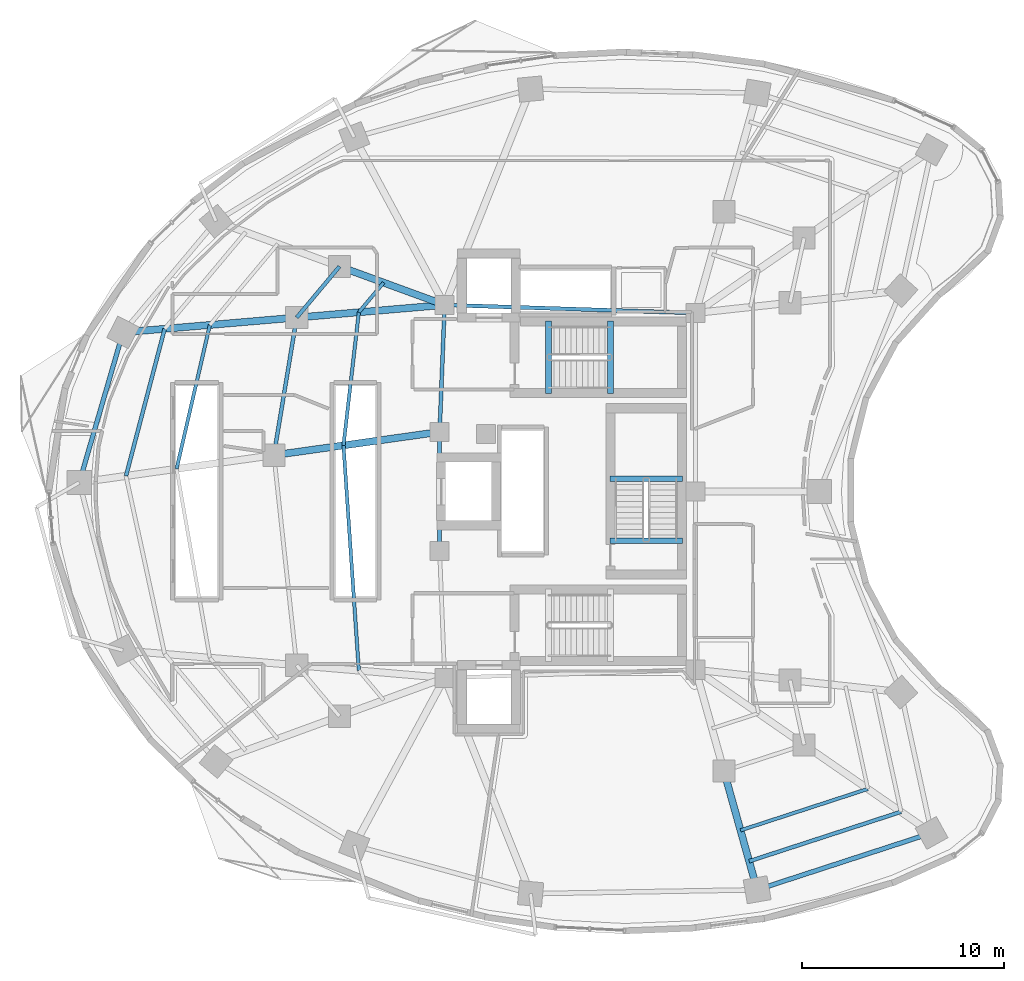
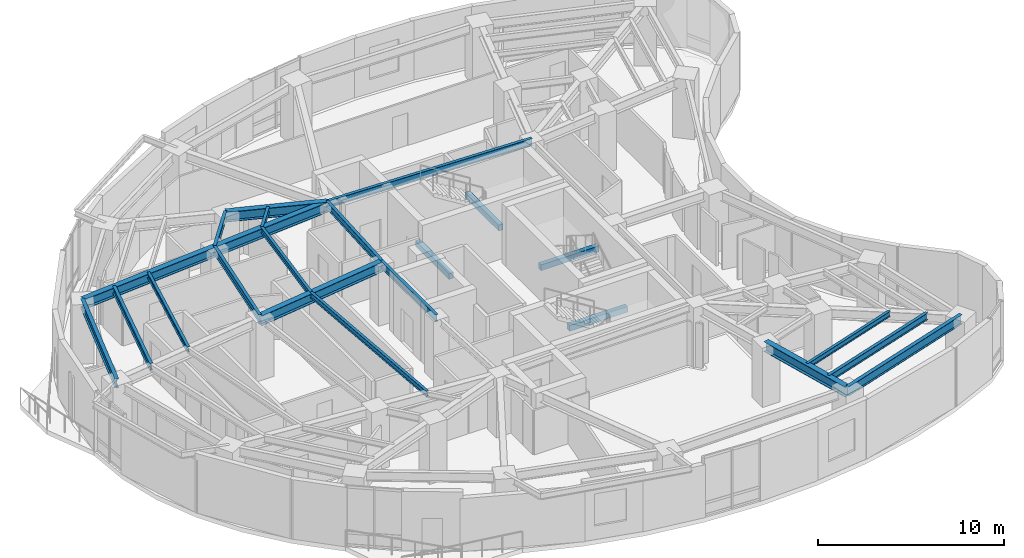
# One storey, part 3 of 14: 23 beams.
"""IFC4 building model written with IfcOpenShell, lengths in metres."""

from ifc_helpers import new_model, si_unit, direction, frame, origin, origin_2d, place, context, subcontext, project, spatial, rectangle, i_section, extrude, material, material_profile, profile_set, type_object, element, save


model = new_model("IFC4")

# Units and contexts
model_context = context("Model", 3, precision=1e-05, world=origin(), true_north=direction((0.0, 1.0)))
body_context = subcontext(model_context, "Body", "Model", "MODEL_VIEW")
ifc_project = project(units=[si_unit("LENGTHUNIT", "METRE"), si_unit("AREAUNIT", "SQUARE_METRE"), si_unit("VOLUMEUNIT", "CUBIC_METRE"), si_unit("PLANEANGLEUNIT", "RADIAN"), si_unit("MASSUNIT", "GRAM", prefix="KILO")], contexts=[model_context])

# Site, building, storey
site_placement = place(None, origin())
site = spatial("IfcSite", under=ifc_project, at=site_placement, CompositionType="ELEMENT")
building_placement = place(site_placement, origin())
building = spatial("IfcBuilding", under=site, at=building_placement, Name="Korentha Bioscience Tower", CompositionType="ELEMENT")
storey_placement = place(building_placement, frame((0.0, 0.0, 119.39990234375)))
storey = spatial("IfcBuildingStorey", under=building, at=storey_placement, Name="L27", CompositionType="ELEMENT", Elevation=119.39990234375)

# Beams
ifc_material_1 = material(Name="Concrete C50", Category="concrete")
ifc_material_profile_1 = material_profile(ifc_material_1, rectangle(XDim=0.280029296875, YDim=0.3798828125, at=origin_2d()), Name="Concrete C50")
ifc_profile_set_1 = profile_set([ifc_material_profile_1], Name="Concrete C50 (ST-HB380)")
beam_type_1 = type_object("IfcBeamType", Name="Concrete Stair Header Beam RC 280x380", PredefinedType="BEAM", material=ifc_profile_set_1)
for number, where, z_axis, x_axis, name in (
    (1, (30.25, 31.85009765625, -0.18994140625), (0.0, 1.0, 0.0), (-1.0, 0.0, 0.0), "L27 ST-1 Concrete Stair Header Beam"),
    (2, (33.330078125, 31.85009765625, 1.91015625), (0.0, 1.0, 0.0), (-1.0, 0.0, 0.0), "L27 ST-1 Half-Landing Header Beam 1"),
    (3, (36.89990234375, 24.550048828125, -0.18994140625), (-1.0, 0.0, 0.0), (0.0, -1.0, 0.0), "L27 ST-3 Concrete Stair Header Beam"),
    (4, (36.89990234375, 27.6298828125, 1.91015625), (-1.0, 0.0, 0.0), (0.0, -1.0, 0.0), "L27 ST-3 Half-Landing Header Beam 1"),
):
    element("IfcBeam", number, at=place(storey_placement, frame(where, z_axis=z_axis, x_axis=x_axis)), inside=storey, type_object=beam_type_1, Name=name, PredefinedType="BEAM", context=body_context, shape_type="SweptSolid", body=[
        extrude(rectangle(XDim=0.280029296875, YDim=0.3798828125, at=origin_2d()), origin(), (0.0, 0.0, 1.0), 3.599853515625),
    ])
ifc_material_2 = material(Name="Steel S355", Category="steel")
ifc_material_profile_2 = material_profile(ifc_material_2, i_section(OverallWidth=0.18994140625, OverallDepth=0.45703125, WebThickness=0.009033203125, FlangeThickness=0.014404296875, at=origin_2d()), Name="Steel S355")
ifc_profile_set_2 = profile_set([ifc_material_profile_2], Name="Steel S355 (MB-460)")
beam_type_2 = type_object("IfcBeamType", Name="Mid-Ring Tie Girder W460x74", PredefinedType="BEAM", material=ifc_profile_set_2)
beam_1_placement = place(storey_placement, frame((19.882568359375, 38.158935546875, 3.671630859375), z_axis=(-0.642121371708, -0.766602989817, 0.0), x_axis=(0.766602989817, -0.642121371708, 0.0)))
element("IfcBeam", 5, at=beam_1_placement, inside=storey, type_object=beam_type_2, Name="L27 Mid-Ring Tie Girder 05", PredefinedType="BEAM", context=body_context, shape_type="SweptSolid", body=[
    extrude(i_section(OverallWidth=0.18994140625, OverallDepth=0.45703125, WebThickness=0.009033203125, FlangeThickness=0.014404296875, at=origin_2d()), origin(), (0.0, 0.0, 1.0), 3.306640625),
])
beam_2_placement = place(storey_placement, frame((17.75927734375, 35.6240234375, 3.671630859375), z_axis=(-0.163580878592, -0.986529926641, 0.0), x_axis=(0.986529926641, -0.163580878592, 0.0)))
element("IfcBeam", 6, at=beam_2_placement, inside=storey, type_object=beam_type_2, Name="L27 Mid-Ring Tie Girder 06", PredefinedType="BEAM", context=body_context, shape_type="SweptSolid", body=[
    extrude(i_section(OverallWidth=0.18994140625, OverallDepth=0.45703125, WebThickness=0.009033203125, FlangeThickness=0.014404296875, at=origin_2d()), origin(), (0.0, 0.0, 1.0), 6.920654296875),
])
beam_3_placement = place(storey_placement, frame((37.550048828125, 35.85009765625, 3.671630859375), z_axis=(-0.999484526071, 0.032104238723, 0.0), x_axis=(-0.032104238723, -0.999484526071, 0.0)))
element("IfcBeam", 7, at=beam_3_placement, inside=storey, type_object=beam_type_2, Name="L27 Core Ring Tie Girder 01", PredefinedType="BEAM", context=body_context, shape_type="SweptSolid", body=[
    extrude(i_section(OverallWidth=0.18994140625, OverallDepth=0.45703125, WebThickness=0.009033203125, FlangeThickness=0.014404296875, at=origin_2d()), origin(), (0.0, 0.0, 1.0), 12.456298828125),
])
beam_4_placement = place(storey_placement, frame((25.10009765625, 36.25, 3.671630859375), z_axis=(-0.039651025576, -0.999213588864, 0.0), x_axis=(0.999213588864, -0.039651025576, 0.0)))
element("IfcBeam", 8, at=beam_4_placement, inside=storey, type_object=beam_type_2, Name="L27 Core Ring Tie Girder 02", PredefinedType="BEAM", context=body_context, shape_type="SweptSolid", body=[
    extrude(i_section(OverallWidth=0.18994140625, OverallDepth=0.45703125, WebThickness=0.009033203125, FlangeThickness=0.014404296875, at=origin_2d()), origin(), (0.0, 0.0, 1.0), 6.304931640625),
])
beam_5_placement = place(storey_placement, frame((24.85009765625, 29.949951171875, 3.671630859375), z_axis=(0.0, -1.0, 0.0), x_axis=(1.0, 0.0, 0.0)))
element("IfcBeam", 9, at=beam_5_placement, inside=storey, type_object=beam_type_2, Name="L27 Core Ring Tie Girder 03", PredefinedType="BEAM", context=body_context, shape_type="SweptSolid", body=[
    extrude(i_section(OverallWidth=0.18994140625, OverallDepth=0.45703125, WebThickness=0.009033203125, FlangeThickness=0.014404296875, at=origin_2d()), origin(), (0.0, 0.0, 1.0), 5.89990234375),
])
ifc_material_profile_3 = material_profile(ifc_material_2, i_section(OverallWidth=0.22802734375, OverallDepth=0.60791015625, WebThickness=0.01123046875, FlangeThickness=0.017333984375, at=origin_2d()), Name="Steel S355")
ifc_profile_set_3 = profile_set([ifc_material_profile_3], Name="Steel S355 (SB-610)")
beam_type_3 = type_object("IfcBeamType", Name="Perimeter Ring Spandrel Girder W610x113", PredefinedType="SPANDREL", material=ifc_profile_set_3)
beam_6_placement = place(storey_placement, frame((9.141845703125, 34.889404296875, 3.59619140625), z_axis=(-0.279486251653, -0.960149694129, 0.0), x_axis=(0.960149694129, -0.279486251653, 0.0)))
element("IfcBeam", 10, at=beam_6_placement, inside=storey, type_object=beam_type_3, Name="L27 Perimeter Spandrel Girder 06", PredefinedType="SPANDREL", context=body_context, shape_type="SweptSolid", body=[
    extrude(i_section(OverallWidth=0.22802734375, OverallDepth=0.60791015625, WebThickness=0.01123046875, FlangeThickness=0.017333984375, at=origin_2d()), origin(), (0.0, 0.0, 1.0), 7.756103515625),
])
beam_7_placement = place(storey_placement, frame((40.604248046875, 7.235107421875, 3.59619140625), z_axis=(0.950867758759, 0.309597327755, 0.0), x_axis=(-0.309597327755, 0.950867758759, 0.0)))
element("IfcBeam", 11, at=beam_7_placement, inside=storey, type_object=beam_type_3, Name="L27 Perimeter Spandrel Girder 12", PredefinedType="SPANDREL", context=body_context, shape_type="SweptSolid", body=[
    extrude(i_section(OverallWidth=0.22802734375, OverallDepth=0.60791015625, WebThickness=0.01123046875, FlangeThickness=0.017333984375, at=origin_2d()), origin(), (0.0, 0.0, 1.0), 9.101806640625),
])
ifc_material_profile_4 = material_profile(ifc_material_2, i_section(OverallWidth=0.18994140625, OverallDepth=0.45703125, WebThickness=0.009033203125, FlangeThickness=0.014404296875, at=origin_2d()), Name="Steel S355")
ifc_profile_set_4 = profile_set([ifc_material_profile_4], Name="Steel S355 (RB-460)")
beam_type_4 = type_object("IfcBeamType", Name="Radial Laboratory Beam W460x74", PredefinedType="BEAM", material=ifc_profile_set_4)
beam_8_placement = place(storey_placement, frame((11.2099609375, 35.065673828125, 3.671630859375), z_axis=(-0.254294231014, -0.967126901742, 0.0), x_axis=(0.967126901742, -0.254294231014, 0.0)))
element("IfcBeam", 12, at=beam_8_placement, inside=storey, type_object=beam_type_4, Name="L27 Secondary Floor Beam JSTO-06", PredefinedType="BEAM", context=body_context, shape_type="SweptSolid", body=[
    extrude(i_section(OverallWidth=0.18994140625, OverallDepth=0.45703125, WebThickness=0.009033203125, FlangeThickness=0.014404296875, at=origin_2d()), origin(), (0.0, 0.0, 1.0), 7.546142578125),
])
beam_9_placement = place(storey_placement, frame((40.20849609375, 8.64990234375, 3.671630859375), z_axis=(0.950866789802, 0.3096003037, 0.0), x_axis=(-0.3096003037, 0.950866789802, 0.0)))
element("IfcBeam", 13, at=beam_9_placement, inside=storey, type_object=beam_type_4, Name="L27 Secondary Floor Beam JSTO-12", PredefinedType="BEAM", context=body_context, shape_type="SweptSolid", body=[
    extrude(i_section(OverallWidth=0.18994140625, OverallDepth=0.45703125, WebThickness=0.009033203125, FlangeThickness=0.014404296875, at=origin_2d()), origin(), (0.0, 0.0, 1.0), 7.921875),
])
ifc_material_profile_5 = material_profile(ifc_material_2, i_section(OverallWidth=0.35009765625, OverallDepth=0.64990234375, WebThickness=0.01611328125, FlangeThickness=0.02490234375, at=origin_2d()), Name="Steel S355")
ifc_profile_set_5 = profile_set([ifc_material_profile_5], Name="Steel S355 (RB-650)")
beam_type_5 = type_object("IfcBeamType", Name="Radial Laboratory Girder CVS 650x208", PredefinedType="BEAM", material=ifc_profile_set_5)
beam_10_placement = place(storey_placement, frame((25.10009765625, 36.25, 3.5751953125), z_axis=(-0.939118010396, 0.343594765022, 0.0), x_axis=(-0.343594765022, -0.939118010396, 0.0)))
element("IfcBeam", 14, at=beam_10_placement, inside=storey, type_object=beam_type_5, Name="L27 Inner Radial Girder 05", PredefinedType="BEAM", context=body_context, shape_type="SweptSolid", body=[
    extrude(i_section(OverallWidth=0.35009765625, OverallDepth=0.64990234375, WebThickness=0.01611328125, FlangeThickness=0.02490234375, at=origin_2d()), origin(), (0.0, 0.0, 1.0), 5.5556640625),
])
beam_11_placement = place(storey_placement, frame((25.10009765625, 36.25, 3.5751953125), z_axis=(-0.996383934197, -0.084965026183, 0.0), x_axis=(0.084965026183, -0.996383934197, 0.0)))
element("IfcBeam", 15, at=beam_11_placement, inside=storey, type_object=beam_type_5, Name="L27 Inner Radial Girder 06", PredefinedType="BEAM", context=body_context, shape_type="SweptSolid", body=[
    extrude(i_section(OverallWidth=0.35009765625, OverallDepth=0.64990234375, WebThickness=0.01611328125, FlangeThickness=0.02490234375, at=origin_2d()), origin(), (0.0, 0.0, 1.0), 7.367431640625),
])
beam_12_placement = place(storey_placement, frame((17.75927734375, 35.6240234375, 3.5751953125), z_axis=(-0.996386071548, -0.084939957767, 0.0), x_axis=(0.084939957767, -0.996386071548, 0.0)))
element("IfcBeam", 16, at=beam_12_placement, inside=storey, type_object=beam_type_5, Name="L27 Outer Radial Girder 06", PredefinedType="BEAM", context=body_context, shape_type="SweptSolid", body=[
    extrude(i_section(OverallWidth=0.35009765625, OverallDepth=0.64990234375, WebThickness=0.01611328125, FlangeThickness=0.02490234375, at=origin_2d()), origin(), (0.0, 0.0, 1.0), 8.648681640625),
])
beam_13_placement = place(storey_placement, frame((24.85009765625, 29.949951171875, 3.5751953125), z_axis=(-0.990306752817, -0.13889757134, 0.0), x_axis=(0.13889757134, -0.990306752817, 0.0)))
element("IfcBeam", 17, at=beam_13_placement, inside=storey, type_object=beam_type_5, Name="L27 Inner Radial Girder 07", PredefinedType="BEAM", context=body_context, shape_type="SweptSolid", body=[
    extrude(i_section(OverallWidth=0.35009765625, OverallDepth=0.64990234375, WebThickness=0.01611328125, FlangeThickness=0.02490234375, at=origin_2d()), origin(), (0.0, 0.0, 1.0), 8.303466796875),
])
beam_14_placement = place(storey_placement, frame((38.954833984375, 13.129150390625, 3.5751953125), z_axis=(0.269490843458, -0.963002951861, 0.0), x_axis=(0.963002951861, 0.269490843458, 0.0)))
element("IfcBeam", 18, at=beam_14_placement, inside=storey, type_object=beam_type_5, Name="L27 Outer Radial Girder 12", PredefinedType="BEAM", context=body_context, shape_type="SweptSolid", body=[
    extrude(i_section(OverallWidth=0.35009765625, OverallDepth=0.64990234375, WebThickness=0.01611328125, FlangeThickness=0.02490234375, at=origin_2d()), origin(), (0.0, 0.0, 1.0), 6.120361328125),
])
ifc_material_profile_6 = material_profile(ifc_material_2, i_section(OverallWidth=0.1708984375, OverallDepth=0.35498046875, WebThickness=0.007080078125, FlangeThickness=0.01171875, at=origin_2d()), Name="Steel S355")
ifc_profile_set_6 = profile_set([ifc_material_profile_6], Name="Steel S355 (JB-360)")
beam_type_6 = type_object("IfcBeamType", Name="Secondary Laboratory Joist W360x51", PredefinedType="JOIST", material=ifc_profile_set_6)
beam_15_placement = place(storey_placement, frame((22.073974609375, 37.357177734375, 3.72265625), z_axis=(-0.64218549873, -0.766549271229, 0.0), x_axis=(0.766549271229, -0.64218549873, 0.0)))
element("IfcBeam", 19, at=beam_15_placement, inside=storey, type_object=beam_type_6, Name="L27 Inner Bay Joist 05", PredefinedType="JOIST", context=body_context, shape_type="SweptSolid", body=[
    extrude(i_section(OverallWidth=0.1708984375, OverallDepth=0.35498046875, WebThickness=0.007080078125, FlangeThickness=0.01171875, at=origin_2d()), origin(), (0.0, 0.0, 1.0), 1.91796875),
])
beam_16_placement = place(storey_placement, frame((13.450439453125, 35.256591796875, 3.72265625), z_axis=(-0.225236780605, -0.974304055551, 0.0), x_axis=(0.974304055551, -0.225236780605, 0.0)))
element("IfcBeam", 20, at=beam_16_placement, inside=storey, type_object=beam_type_6, Name="L27 Secondary Floor Beam JST-06", PredefinedType="JOIST", context=body_context, shape_type="SweptSolid", body=[
    extrude(i_section(OverallWidth=0.1708984375, OverallDepth=0.35498046875, WebThickness=0.007080078125, FlangeThickness=0.01171875, at=origin_2d()), origin(), (0.0, 0.0, 1.0), 7.3251953125),
])
beam_17_placement = place(storey_placement, frame((20.84228515625, 35.886962890625, 3.72265625), z_axis=(-0.114512623722, -0.993421793101, 0.0), x_axis=(0.993421793101, -0.114512623722, 0.0)))
element("IfcBeam", 21, at=beam_17_placement, inside=storey, type_object=beam_type_6, Name="L27 Inner Bay Joist 06", PredefinedType="JOIST", context=body_context, shape_type="SweptSolid", body=[
    extrude(i_section(OverallWidth=0.1708984375, OverallDepth=0.35498046875, WebThickness=0.007080078125, FlangeThickness=0.01171875, at=origin_2d()), origin(), (0.0, 0.0, 1.0), 6.649658203125),
])
beam_18_placement = place(storey_placement, frame((20.080810546875, 29.281005859375, 3.72265625), z_axis=(0.068025861704, -0.997683558118, 0.0), x_axis=(0.997683558118, 0.068025861704, 0.0)))
element("IfcBeam", 22, at=beam_18_placement, inside=storey, type_object=beam_type_6, Name="L27 Inner Bay Joist 07", PredefinedType="JOIST", context=body_context, shape_type="SweptSolid", body=[
    extrude(i_section(OverallWidth=0.1708984375, OverallDepth=0.35498046875, WebThickness=0.007080078125, FlangeThickness=0.01171875, at=origin_2d()), origin(), (0.0, 0.0, 1.0), 11.19384765625),
])
beam_19_placement = place(storey_placement, frame((39.779541015625, 10.18212890625, 3.72265625), z_axis=(0.950864890997, 0.309606135387, 0.0), x_axis=(-0.309606135387, 0.950864890997, 0.0)))
element("IfcBeam", 23, at=beam_19_placement, inside=storey, type_object=beam_type_6, Name="L27 Secondary Floor Beam JST-12", PredefinedType="JOIST", context=body_context, shape_type="SweptSolid", body=[
    extrude(i_section(OverallWidth=0.1708984375, OverallDepth=0.35498046875, WebThickness=0.007080078125, FlangeThickness=0.01171875, at=origin_2d()), origin(), (0.0, 0.0, 1.0), 6.644287109375),
])

save(model, "model.ifc")
